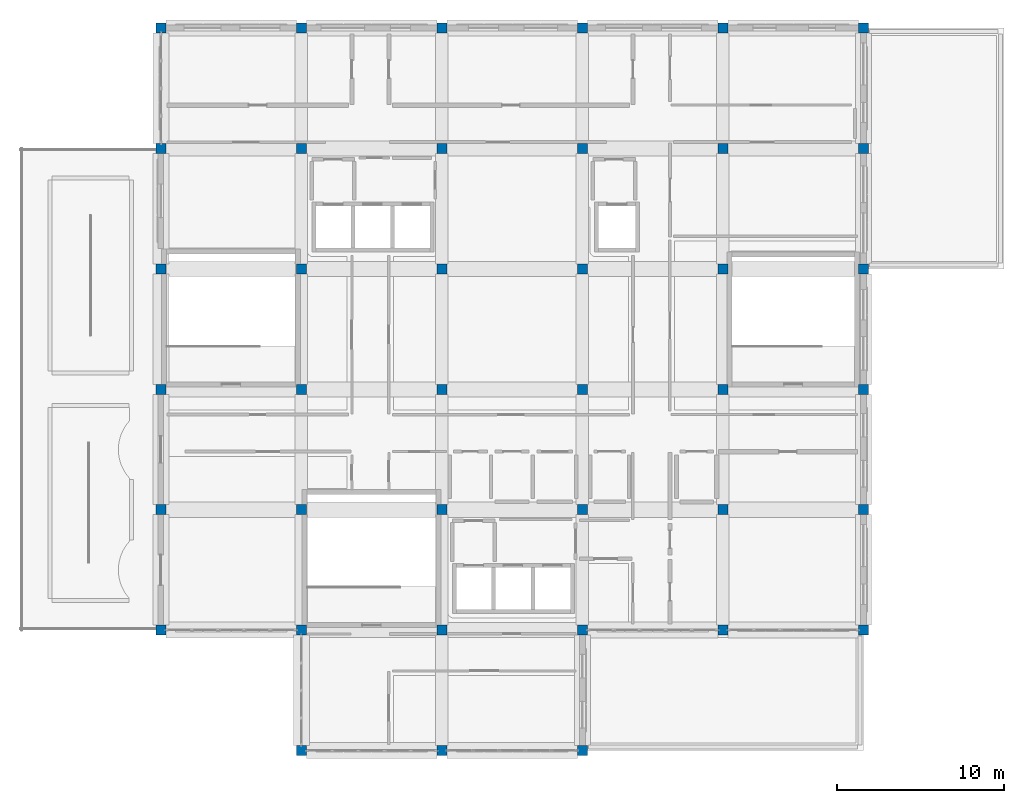
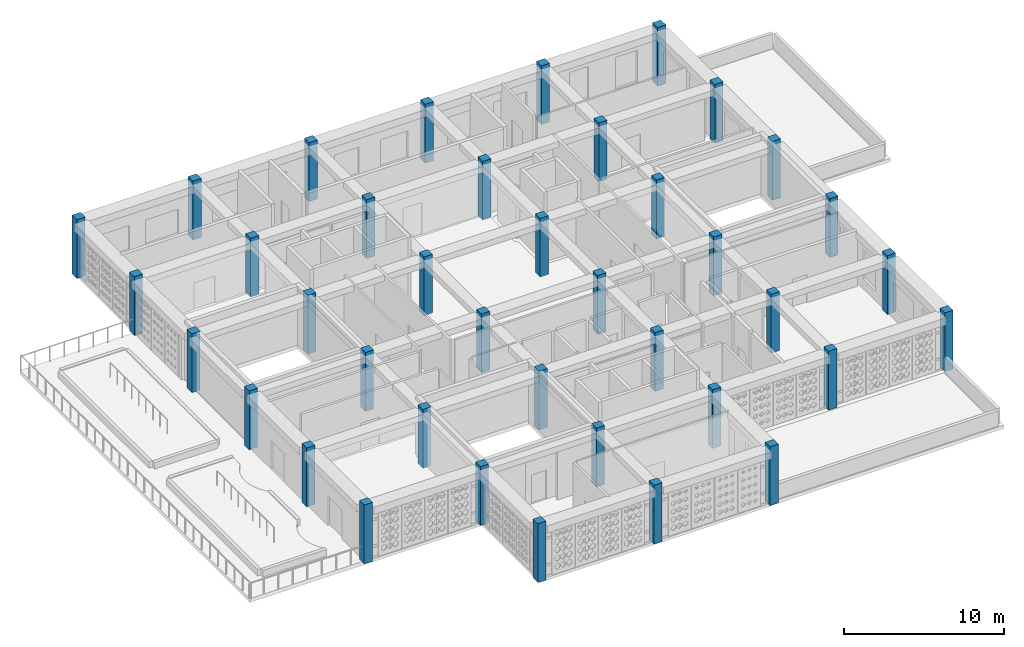
# One storey, part 1 of 28: 39 columns.
"""IFC4 building model written with IfcOpenShell, lengths in metres."""

from ifc_helpers import new_model, si_unit, derived_unit, direction, frame, origin, origin_2d, place, context, subcontext, project, spatial, rectangle, extrude, material, material_profile, profile_set, type_object, element, save


model = new_model("IFC4")

# Units and contexts
model_context = context("Model", 3, precision=1e-05, world=origin(), true_north=direction((0.0, 1.0)))
body_context = subcontext(model_context, "Body", "Model", "MODEL_VIEW")
ifc_project = project(units=[si_unit("LENGTHUNIT", "METRE"), si_unit("AREAUNIT", "SQUARE_METRE"), si_unit("VOLUMEUNIT", "CUBIC_METRE"), si_unit("PLANEANGLEUNIT", "RADIAN"), si_unit("MASSUNIT", "GRAM", prefix="KILO"), derived_unit("THERMALTRANSMITTANCEUNIT", [(si_unit("POWERUNIT", "WATT"), 1), (si_unit("LENGTHUNIT", "METRE"), -2), (si_unit("THERMODYNAMICTEMPERATUREUNIT", "KELVIN"), -1)])], contexts=[model_context])

# Site, building, storey
site_placement = place(None, origin())
site = spatial("IfcSite", under=ifc_project, at=site_placement, CompositionType="ELEMENT")
building_placement = place(site_placement, origin())
building = spatial("IfcBuilding", under=site, at=building_placement, Name="Veybourne Emporium", CompositionType="ELEMENT")
storey_placement = place(building_placement, frame((0.0, 0.0, 32.10009765625)))
storey = spatial("IfcBuildingStorey", under=building, at=storey_placement, Name="L07", CompositionType="ELEMENT", Elevation=32.10009765625)

# Columns
ifc_material = material(Name="Concrete C40/50", Category="concrete")
ifc_material_profile = material_profile(ifc_material, rectangle(XDim=0.60009765625, YDim=0.60009765625, at=origin_2d()), Name="RC 600x600")
ifc_profile_set = profile_set([ifc_material_profile], Name="Concrete C40/50")
column_type = type_object("IfcColumnType", Name="Col_C-06", PredefinedType="COLUMN", material=ifc_profile_set)
for number, where, z_axis, x_axis, name in (
    (1, (8.39990234375, 14.39990234375, 0.0), (0.0, 0.0, 1.0), (1.0, 0.0, 0.0), "Column C-06 L07 (1,2)"),
    (2, (8.39990234375, 21.60009765625, 0.0), (0.0, 0.0, 1.0), (1.0, 0.0, 0.0), "Column C-06 L07 (1,3)"),
    (3, (8.39990234375, 28.800048828125, 0.0), (0.0, 0.0, 1.0), (1.0, 0.0, 0.0), "Column C-06 L07 (1,4)"),
    (4, (8.39990234375, 36.0, 0.0), (0.0, 0.0, 1.0), (1.0, 0.0, 0.0), "Column C-06 L07 (1,5)"),
    (5, (8.39990234375, 43.199951171875, 0.0), (0.0, 0.0, 1.0), (1.0, 0.0, 0.0), "Column C-06 L07 (1,6)"),
    (6, (8.39990234375, 50.39990234375, 0.0), (0.0, 0.0, 1.0), (1.0, 0.0, 0.0), "Column C-06 L07 (1,7)"),
    (7, (16.800048828125, 7.199951171875, 0.0), (0.0, 0.0, 1.0), (1.0, 0.0, 0.0), "Column C-06 L07 (2,1)"),
    (8, (16.800048828125, 14.39990234375, 0.0), (0.0, 0.0, 1.0), (1.0, 0.0, 0.0), "Column C-06 L07 (2,2)"),
    (9, (16.800048828125, 21.60009765625, 0.0), (0.0, 0.0, 1.0), (1.0, 0.0, 0.0), "Column C-06 L07 (2,3)"),
    (10, (16.800048828125, 28.800048828125, 0.0), (0.0, 0.0, 1.0), (1.0, 0.0, 0.0), "Column C-06 L07 (2,4)"),
    (11, (16.800048828125, 36.0, 0.0), (0.0, 0.0, 1.0), (1.0, 0.0, 0.0), "Column C-06 L07 (2,5)"),
    (12, (16.800048828125, 43.199951171875, 0.0), (0.0, 0.0, 1.0), (1.0, 0.0, 0.0), "Column C-06 L07 (2,6)"),
    (13, (16.800048828125, 50.39990234375, 0.0), (0.0, 0.0, 1.0), (1.0, 0.0, 0.0), "Column C-06 L07 (2,7)"),
    (14, (25.199951171875, 7.199951171875, 0.0), (0.0, 0.0, 1.0), (1.0, 0.0, 0.0), "Column C-06 L07 (3,1)"),
    (15, (25.199951171875, 14.39990234375, 0.0), (0.0, 0.0, 1.0), (1.0, 0.0, 0.0), "Column C-06 L07 (3,2)"),
    (16, (25.199951171875, 21.60009765625, 0.0), (0.0, 0.0, 1.0), (1.0, 0.0, 0.0), "Column C-06 L07 (3,3)"),
    (17, (25.199951171875, 28.800048828125, 0.0), (0.0, 0.0, 1.0), (1.0, 0.0, 0.0), "Column C-06 L07 (3,4)"),
    (18, (25.199951171875, 36.0, 0.0), (0.0, 0.0, 1.0), (1.0, 0.0, 0.0), "Column C-06 L07 (3,5)"),
    (19, (25.199951171875, 43.199951171875, 0.0), (0.0, 0.0, 1.0), (1.0, 0.0, 0.0), "Column C-06 L07 (3,6)"),
    (20, (25.199951171875, 50.39990234375, 0.0), (0.0, 0.0, 1.0), (1.0, 0.0, 0.0), "Column C-06 L07 (3,7)"),
    (21, (33.60009765625, 7.199951171875, 0.0), (0.0, 0.0, 1.0), (1.0, 0.0, 0.0), "Column C-06 L07 (4,1)"),
    (22, (33.60009765625, 14.39990234375, 0.0), (0.0, 0.0, 1.0), (1.0, 0.0, 0.0), "Column C-06 L07 (4,2)"),
    (23, (33.60009765625, 21.60009765625, 0.0), (0.0, 0.0, 1.0), (1.0, 0.0, 0.0), "Column C-06 L07 (4,3)"),
    (24, (33.60009765625, 28.800048828125, 0.0), (0.0, 0.0, 1.0), (1.0, 0.0, 0.0), "Column C-06 L07 (4,4)"),
    (25, (33.60009765625, 36.0, 0.0), (0.0, 0.0, 1.0), (1.0, 0.0, 0.0), "Column C-06 L07 (4,5)"),
    (26, (33.60009765625, 43.199951171875, 0.0), (0.0, 0.0, 1.0), (1.0, 0.0, 0.0), "Column C-06 L07 (4,6)"),
    (27, (33.60009765625, 50.39990234375, 0.0), (0.0, 0.0, 1.0), (1.0, 0.0, 0.0), "Column C-06 L07 (4,7)"),
    (28, (42.0, 14.39990234375, 0.0), (0.0, 0.0, 1.0), (1.0, 0.0, 0.0), "Column C-06 L07 (5,2)"),
    (29, (42.0, 21.60009765625, 0.0), (0.0, 0.0, 1.0), (1.0, 0.0, 0.0), "Column C-06 L07 (5,3)"),
    (30, (42.0, 28.800048828125, 0.0), (0.0, 0.0, 1.0), (1.0, 0.0, 0.0), "Column C-06 L07 (5,4)"),
    (31, (42.0, 36.0, 0.0), (0.0, 0.0, 1.0), (1.0, 0.0, 0.0), "Column C-06 L07 (5,5)"),
    (32, (42.0, 43.199951171875, 0.0), (0.0, 0.0, 1.0), (1.0, 0.0, 0.0), "Column C-06 L07 (5,6)"),
    (33, (42.0, 50.39990234375, 0.0), (0.0, 0.0, 1.0), (1.0, 0.0, 0.0), "Column C-06 L07 (5,7)"),
    (34, (50.39990234375, 14.39990234375, 0.0), (0.0, 0.0, 1.0), (1.0, 0.0, 0.0), "Column C-06 L07 (6,2)"),
    (35, (50.39990234375, 21.60009765625, 0.0), (0.0, 0.0, 1.0), (1.0, 0.0, 0.0), "Column C-06 L07 (6,3)"),
    (36, (50.39990234375, 28.800048828125, 0.0), (0.0, 0.0, 1.0), (1.0, 0.0, 0.0), "Column C-06 L07 (6,4)"),
    (37, (50.39990234375, 36.0, 0.0), (0.0, 0.0, 1.0), (1.0, 0.0, 0.0), "Column C-06 L07 (6,5)"),
    (38, (50.39990234375, 43.199951171875, 0.0), (0.0, 0.0, 1.0), (1.0, 0.0, 0.0), "Column C-06 L07 (6,6)"),
    (39, (50.39990234375, 50.39990234375, 0.0), (0.0, 0.0, 1.0), (1.0, 0.0, 0.0), "Column C-06 L07 (6,7)"),
):
    element("IfcColumn", number, at=place(storey_placement, frame(where, z_axis=z_axis, x_axis=x_axis)), inside=storey, type_object=column_type, Name=name, PredefinedType="COLUMN", context=body_context, shape_type="SweptSolid", body=[
        extrude(rectangle(XDim=0.60009765625, YDim=0.60009765625, at=origin_2d()), origin(), (0.0, 0.0, 1.0), 4.5),
    ])

save(model, "model.ifc")
